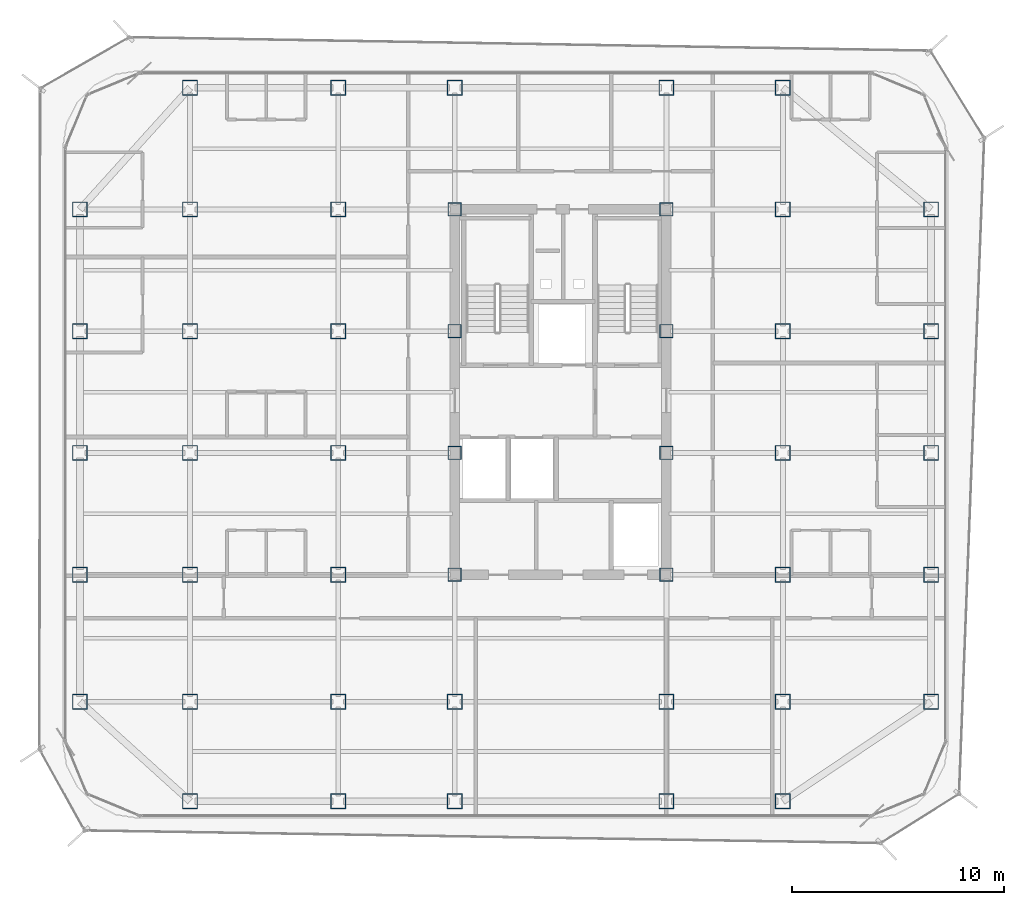
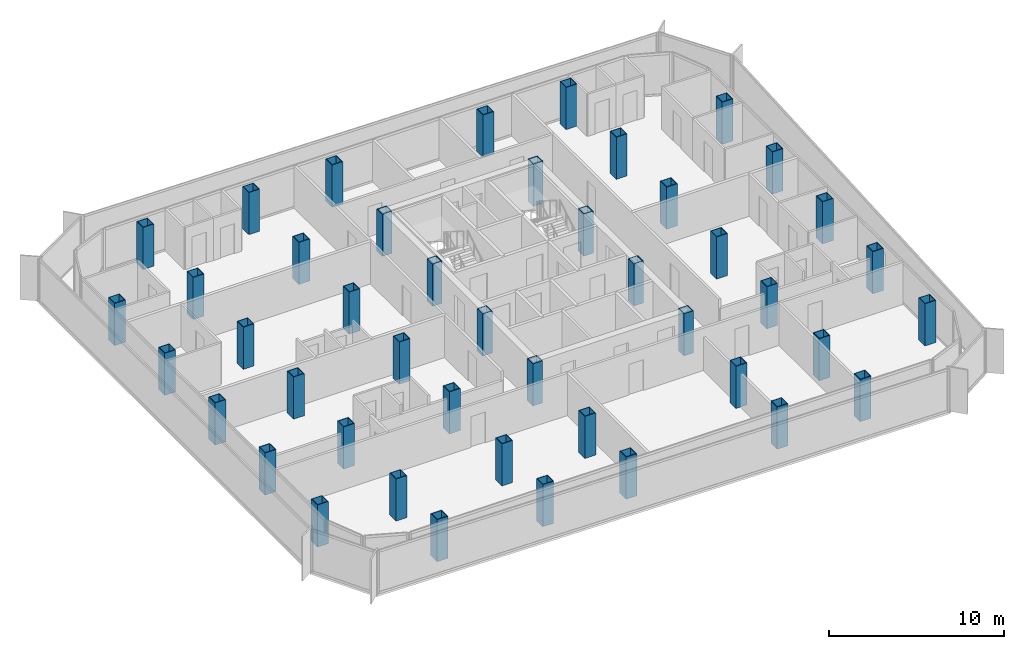
# One storey, part 1 of 15: 45 columns.
"""IFC4 building model written with IfcOpenShell, lengths in metres."""

from ifc_helpers import new_model, si_unit, direction, frame, origin, origin_2d, place, context, subcontext, project, spatial, hollow_rectangle, extrude, source, transform, mapped, material, material_profile, profile_set, type_object, element, save


model = new_model("IFC4")

# Units and contexts
model_context = context("Model", 3, precision=1e-05, world=origin(), true_north=direction((0.0, 1.0)))
body_context = subcontext(model_context, "Body", "Model", "MODEL_VIEW")
ifc_project = project(units=[si_unit("LENGTHUNIT", "METRE"), si_unit("AREAUNIT", "SQUARE_METRE"), si_unit("VOLUMEUNIT", "CUBIC_METRE"), si_unit("PLANEANGLEUNIT", "RADIAN"), si_unit("MASSUNIT", "GRAM", prefix="KILO")], contexts=[model_context])

# Site, building, storey
site_placement = place(None, origin())
site = spatial("IfcSite", under=ifc_project, at=site_placement, CompositionType="ELEMENT")
building_placement = place(site_placement, origin())
building = spatial("IfcBuilding", under=site, at=building_placement, Name="Kolveth Station Tower", CompositionType="ELEMENT")
storey_placement = place(building_placement, frame((0.0, 0.0, 172.10009765625)))
storey = spatial("IfcBuildingStorey", under=building, at=storey_placement, Name="L48", CompositionType="ELEMENT", Elevation=172.10009765625)

# Columns
ifc_material = material(Name="Steel S355", Category="steel")
ifc_material_profile_1 = material_profile(ifc_material, hollow_rectangle(XDim=0.719970703125, YDim=0.719970703125, WallThickness=0.0400390625, at=origin_2d()), Name="BOX720x720x40")
ifc_profile_set_1 = profile_set([ifc_material_profile_1], Name="Steel S355")
column_type_1 = type_object("IfcColumnType", Name="Col_C6", PredefinedType="COLUMN", material=ifc_profile_set_1)
shared_shape_1 = source(origin(), body_context, "Body", "SweptSolid", [
    extrude(hollow_rectangle(XDim=0.719970703125, YDim=0.719970703125, WallThickness=0.0400390625, at=origin_2d()), origin(), (0.0, 0.0, 1.0), 2.949951171875),
])
for number, where, z_axis, x_axis, name in (
    (1, (6.0, 0.800048828125, 0.0), (0.0, 0.0, 1.0), (1.0, 0.0, 0.0), "L48 Tower Column S-X60"),
    (2, (6.0, 34.5, 0.0), (0.0, 0.0, 1.0), (1.0, 0.0, 0.0), "L48 Tower Column N-X60"),
    (3, (13.0, 0.800048828125, 0.0), (0.0, 0.0, 1.0), (1.0, 0.0, 0.0), "L48 Tower Column S-X130"),
    (4, (13.0, 34.5, 0.0), (0.0, 0.0, 1.0), (1.0, 0.0, 0.0), "L48 Tower Column N-X130"),
    (5, (18.5, 0.800048828125, 0.0), (0.0, 0.0, 1.0), (1.0, 0.0, 0.0), "L48 Tower Column S-X185"),
    (6, (18.5, 34.5, 0.0), (0.0, 0.0, 1.0), (1.0, 0.0, 0.0), "L48 Tower Column N-X185"),
    (7, (28.5, 0.800048828125, 0.0), (0.0, 0.0, 1.0), (1.0, 0.0, 0.0), "L48 Tower Column S-X285"),
    (8, (28.5, 34.5, 0.0), (0.0, 0.0, 1.0), (1.0, 0.0, 0.0), "L48 Tower Column N-X285"),
    (9, (34.0, 0.800048828125, 0.0), (0.0, 0.0, 1.0), (1.0, 0.0, 0.0), "L48 Tower Column S-X340"),
    (10, (34.0, 34.5, 0.0), (0.0, 0.0, 1.0), (1.0, 0.0, 0.0), "L48 Tower Column N-X340"),
    (11, (0.800048828125, 5.5, 0.0), (0.0, 0.0, 1.0), (1.0, 0.0, 0.0), "L48 Tower Column W-Y55"),
    (12, (41.0, 5.5, 0.0), (0.0, 0.0, 1.0), (1.0, 0.0, 0.0), "L48 Tower Column E-Y55"),
    (13, (0.800048828125, 11.5, 0.0), (0.0, 0.0, 1.0), (1.0, 0.0, 0.0), "L48 Tower Column W-Y115"),
    (14, (41.0, 11.5, 0.0), (0.0, 0.0, 1.0), (1.0, 0.0, 0.0), "L48 Tower Column E-Y115"),
    (15, (0.800048828125, 17.25, 0.0), (0.0, 0.0, 1.0), (1.0, 0.0, 0.0), "L48 Tower Column W-Y172"),
    (16, (41.0, 17.25, 0.0), (0.0, 0.0, 1.0), (1.0, 0.0, 0.0), "L48 Tower Column E-Y172"),
    (17, (0.800048828125, 23.0, 0.0), (0.0, 0.0, 1.0), (1.0, 0.0, 0.0), "L48 Tower Column W-Y230"),
    (18, (41.0, 23.0, 0.0), (0.0, 0.0, 1.0), (1.0, 0.0, 0.0), "L48 Tower Column E-Y230"),
    (19, (0.800048828125, 28.75, 0.0), (0.0, 0.0, 1.0), (1.0, 0.0, 0.0), "L48 Tower Column W-Y287"),
    (20, (41.0, 28.75, 0.0), (0.0, 0.0, 1.0), (1.0, 0.0, 0.0), "L48 Tower Column E-Y287"),
    (21, (6.0, 5.5, 0.0), (0.0, 0.0, 1.0), (1.0, 0.0, 0.0), "L48 Tower Column G-60-55"),
    (22, (6.0, 11.5, 0.0), (0.0, 0.0, 1.0), (1.0, 0.0, 0.0), "L48 Tower Column G-60-115"),
    (23, (6.0, 17.25, 0.0), (0.0, 0.0, 1.0), (1.0, 0.0, 0.0), "L48 Tower Column G-60-172"),
    (24, (6.0, 23.0, 0.0), (0.0, 0.0, 1.0), (1.0, 0.0, 0.0), "L48 Tower Column G-60-230"),
    (25, (6.0, 28.75, 0.0), (0.0, 0.0, 1.0), (1.0, 0.0, 0.0), "L48 Tower Column G-60-287"),
    (26, (13.0, 5.5, 0.0), (0.0, 0.0, 1.0), (1.0, 0.0, 0.0), "L48 Tower Column G-130-55"),
    (27, (13.0, 11.5, 0.0), (0.0, 0.0, 1.0), (1.0, 0.0, 0.0), "L48 Tower Column G-130-115"),
    (28, (13.0, 17.25, 0.0), (0.0, 0.0, 1.0), (1.0, 0.0, 0.0), "L48 Tower Column G-130-172"),
    (29, (13.0, 23.0, 0.0), (0.0, 0.0, 1.0), (1.0, 0.0, 0.0), "L48 Tower Column G-130-230"),
    (30, (13.0, 28.75, 0.0), (0.0, 0.0, 1.0), (1.0, 0.0, 0.0), "L48 Tower Column G-130-287"),
    (31, (18.5, 5.5, 0.0), (0.0, 0.0, 1.0), (1.0, 0.0, 0.0), "L48 Tower Column G-185-55"),
    (32, (28.5, 5.5, 0.0), (0.0, 0.0, 1.0), (1.0, 0.0, 0.0), "L48 Tower Column G-285-55"),
    (33, (34.0, 5.5, 0.0), (0.0, 0.0, 1.0), (1.0, 0.0, 0.0), "L48 Tower Column G-340-55"),
    (34, (34.0, 11.5, 0.0), (0.0, 0.0, 1.0), (1.0, 0.0, 0.0), "L48 Tower Column G-340-115"),
    (35, (34.0, 17.25, 0.0), (0.0, 0.0, 1.0), (1.0, 0.0, 0.0), "L48 Tower Column G-340-172"),
    (36, (34.0, 23.0, 0.0), (0.0, 0.0, 1.0), (1.0, 0.0, 0.0), "L48 Tower Column G-340-230"),
    (37, (34.0, 28.75, 0.0), (0.0, 0.0, 1.0), (1.0, 0.0, 0.0), "L48 Tower Column G-340-287"),
):
    element("IfcColumn", number, at=place(storey_placement, frame(where, z_axis=z_axis, x_axis=x_axis)), inside=storey, type_object=column_type_1, Name=name, PredefinedType="COLUMN", context=body_context, shape_type="MappedRepresentation", body=[
        mapped(shared_shape_1, transform((0.0, 0.0, 0.0), x_axis=(1.0, 0.0, 0.0), y_axis=(0.0, 1.0, 0.0), z_axis=(0.0, 0.0, 1.0), scale=1.0)),
    ])
ifc_material_profile_2 = material_profile(ifc_material, hollow_rectangle(XDim=0.639892578125, YDim=0.639892578125, WallThickness=0.034912109375, at=origin_2d()), Name="BOX640x640x35")
ifc_profile_set_2 = profile_set([ifc_material_profile_2], Name="Steel S355")
column_type_2 = type_object("IfcColumnType", Name="Col_C7", PredefinedType="COLUMN", material=ifc_profile_set_2)
shared_shape_2 = source(origin(), body_context, "Body", "SweptSolid", [
    extrude(hollow_rectangle(XDim=0.639892578125, YDim=0.639892578125, WallThickness=0.034912109375, at=origin_2d()), origin(), (0.0, 0.0, 1.0), 2.949951171875),
])
for number, where, z_axis, x_axis, name in (
    (38, (18.5, 11.5, 0.0), (0.0, 0.0, 1.0), (1.0, 0.0, 0.0), "L48 Tower Column G-185-115"),
    (39, (18.5, 17.25, 0.0), (0.0, 0.0, 1.0), (1.0, 0.0, 0.0), "L48 Tower Column G-185-172"),
    (40, (18.5, 23.0, 0.0), (0.0, 0.0, 1.0), (1.0, 0.0, 0.0), "L48 Tower Column G-185-230"),
    (41, (18.5, 28.75, 0.0), (0.0, 0.0, 1.0), (1.0, 0.0, 0.0), "L48 Tower Column G-185-287"),
    (42, (28.5, 11.5, 0.0), (0.0, 0.0, 1.0), (1.0, 0.0, 0.0), "L48 Tower Column G-285-115"),
    (43, (28.5, 17.25, 0.0), (0.0, 0.0, 1.0), (1.0, 0.0, 0.0), "L48 Tower Column G-285-172"),
    (44, (28.5, 23.0, 0.0), (0.0, 0.0, 1.0), (1.0, 0.0, 0.0), "L48 Tower Column G-285-230"),
    (45, (28.5, 28.75, 0.0), (0.0, 0.0, 1.0), (1.0, 0.0, 0.0), "L48 Tower Column G-285-287"),
):
    element("IfcColumn", number, at=place(storey_placement, frame(where, z_axis=z_axis, x_axis=x_axis)), inside=storey, type_object=column_type_2, Name=name, PredefinedType="COLUMN", context=body_context, shape_type="MappedRepresentation", body=[
        mapped(shared_shape_2, transform((0.0, 0.0, 0.0), x_axis=(1.0, 0.0, 0.0), y_axis=(0.0, 1.0, 0.0), z_axis=(0.0, 0.0, 1.0), scale=1.0)),
    ])

save(model, "model.ifc")
